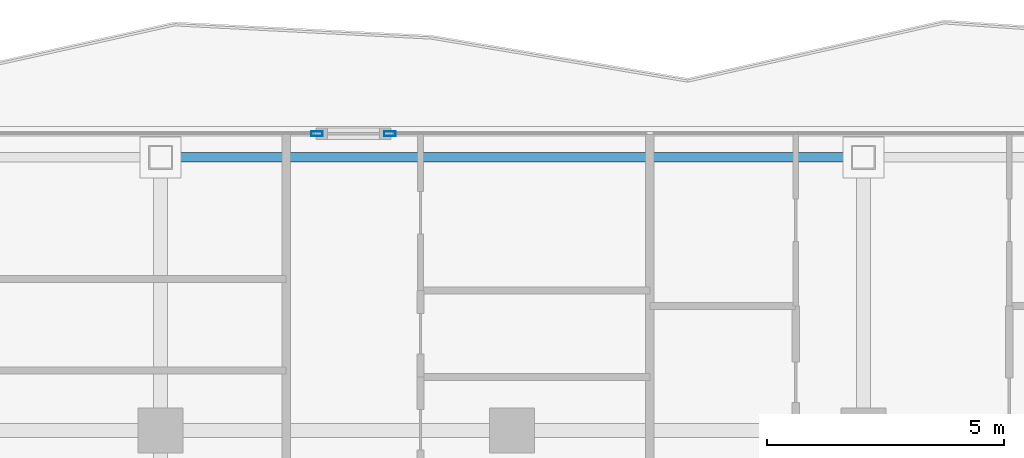
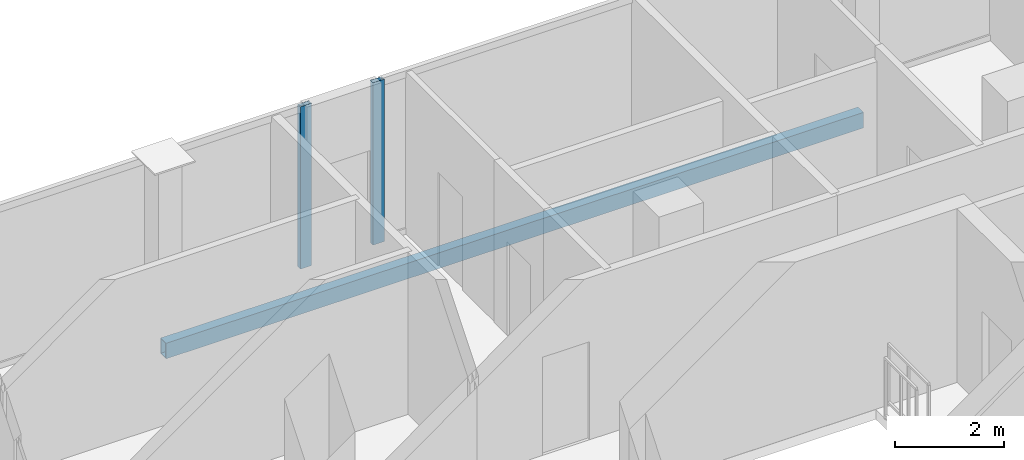
# One storey, part 12 of 22: 2 members, 1 beam, 2 elements without a shape of their own.
"""IFC4 building model written with IfcOpenShell, lengths in metres."""

from ifc_helpers import new_model, si_unit, direction, frame, origin, origin_2d, place, context, subcontext, project, spatial, hollow_rectangle, extrude, material, layer, layer_set, material_profile, profile_set, type_object, element, aggregate, save


model = new_model("IFC4")

# Units and contexts
model_context = context("Model", 3, precision=1e-05, world=origin(), true_north=direction((0.0, 1.0)))
body_context = subcontext(model_context, "Body", "Model", "MODEL_VIEW")
ifc_project = project(units=[si_unit("LENGTHUNIT", "METRE"), si_unit("AREAUNIT", "SQUARE_METRE"), si_unit("VOLUMEUNIT", "CUBIC_METRE"), si_unit("PLANEANGLEUNIT", "RADIAN"), si_unit("MASSUNIT", "GRAM", prefix="KILO")], contexts=[model_context])

# Site, building, storey
site_placement = place(None, origin())
site = spatial("IfcSite", under=ifc_project, at=site_placement, CompositionType="ELEMENT")
building_placement = place(site_placement, origin())
building = spatial("IfcBuilding", under=site, at=building_placement, Name="Khorvyn Point Tower", CompositionType="ELEMENT")
storey_placement = place(building_placement, frame((0.0, 0.0, 309.300048828125)))
storey = spatial("IfcBuildingStorey", under=building, at=storey_placement, Name="L76", CompositionType="ELEMENT", Elevation=309.300048828125)

# Curtain wall, member
ifc_material_1 = material(Name="Anodised aluminium 6063-T6 and laminated Low-E glass", Category="aluminium")
ifc_layer = layer(ifc_material_1, 0.18994140625)
ifc_layer_set = layer_set([ifc_layer], Name="Stick-Built High-Wind Curtain Wall CW-SYS-04")
curtain_wall_type = type_object("IfcCurtainWallType", Name="Stick-Built High-Wind Curtain Wall CW-SYS-04", PredefinedType="NOTDEFINED", material=ifc_layer_set)
curtain_wall_1_placement = place(storey_placement, origin())
curtain_wall_1 = element("IfcCurtainWall", 1, at=curtain_wall_1_placement, inside=storey, type_object=curtain_wall_type, Name="Curtain Wall", PredefinedType="NOTDEFINED")
ifc_material_2 = material(Name="Anodised aluminium 6063-T6", Category="aluminium")
ifc_material_profile_1 = material_profile(ifc_material_2, hollow_rectangle(XDim=0.10009765625, YDim=0.239990234375, WallThickness=0.0048828125, at=origin_2d()))
ifc_profile_set_1 = profile_set([ifc_material_profile_1], Name="Anodised aluminium 6063-T6 ALU-MUL-100x240")
member_type = type_object("IfcMemberType", Name="Anodised Aluminium 6063-T6 Mullion ALU-MUL-100x240", PredefinedType="MULLION", material=ifc_profile_set_1)
member_1_placement = place(storey_placement, frame((-4.110107421875, 21.050048828125, 0.0), z_axis=(0.0, 0.0, 1.0), x_axis=(0.0, 1.0, 0.0)))
member_1 = element("IfcMember", 2, at=member_1_placement, type_object=member_type, Name="Transom", PredefinedType="MULLION", context=body_context, shape_type="SweptSolid", body=[
    extrude(hollow_rectangle(XDim=0.10009765625, YDim=0.239990234375, WallThickness=0.0048828125, at=origin_2d()), origin(), (0.0, 0.0, 1.0), 3.639892578125),
])
aggregate(curtain_wall_1, [member_1])

curtain_wall_2_placement = place(storey_placement, origin())
curtain_wall_2 = element("IfcCurtainWall", 3, at=curtain_wall_2_placement, inside=storey, type_object=curtain_wall_type, Name="Curtain Wall", PredefinedType="NOTDEFINED")
member_2_placement = place(storey_placement, frame((-2.570068359375, 21.050048828125, 0.0), z_axis=(0.0, 0.0, 1.0), x_axis=(0.0, 1.0, 0.0)))
member_2 = element("IfcMember", 4, at=member_2_placement, type_object=member_type, Name="Transom", PredefinedType="MULLION", context=body_context, shape_type="SweptSolid", body=[
    extrude(hollow_rectangle(XDim=0.10009765625, YDim=0.239990234375, WallThickness=0.0048828125, at=origin_2d()), origin(), (0.0, 0.0, 1.0), 3.639892578125),
])
aggregate(curtain_wall_2, [member_2])

# Beam
ifc_material_3 = material(Name="Steel S355", Category="steel")
ifc_material_profile_2 = material_profile(ifc_material_3, hollow_rectangle(XDim=0.199951171875, YDim=0.35009765625, WallThickness=0.013916015625, at=origin_2d()))
ifc_profile_set_2 = profile_set([ifc_material_profile_2], Name="Steel S355 RHS350x200x14")
beam_type = type_object("IfcBeamType", Name="Steel S355 Spandrel RHS350x200x14", PredefinedType="SPANDREL", material=ifc_profile_set_2)
beam_placement = place(storey_placement, frame((-7.39990234375, 20.550048828125, -0.39501953125), z_axis=(1.0, 0.0, 0.0), x_axis=(0.0, 1.0, 0.0)))
element("IfcBeam", 5, at=beam_placement, inside=storey, type_object=beam_type, Name="Beam", PredefinedType="SPANDREL", context=body_context, shape_type="SweptSolid", body=[
    extrude(hollow_rectangle(XDim=0.199951171875, YDim=0.35009765625, WallThickness=0.013916015625, at=origin_2d()), origin(), (0.0, 0.0, 1.0), 14.7998046875),
])

save(model, "model.ifc")
